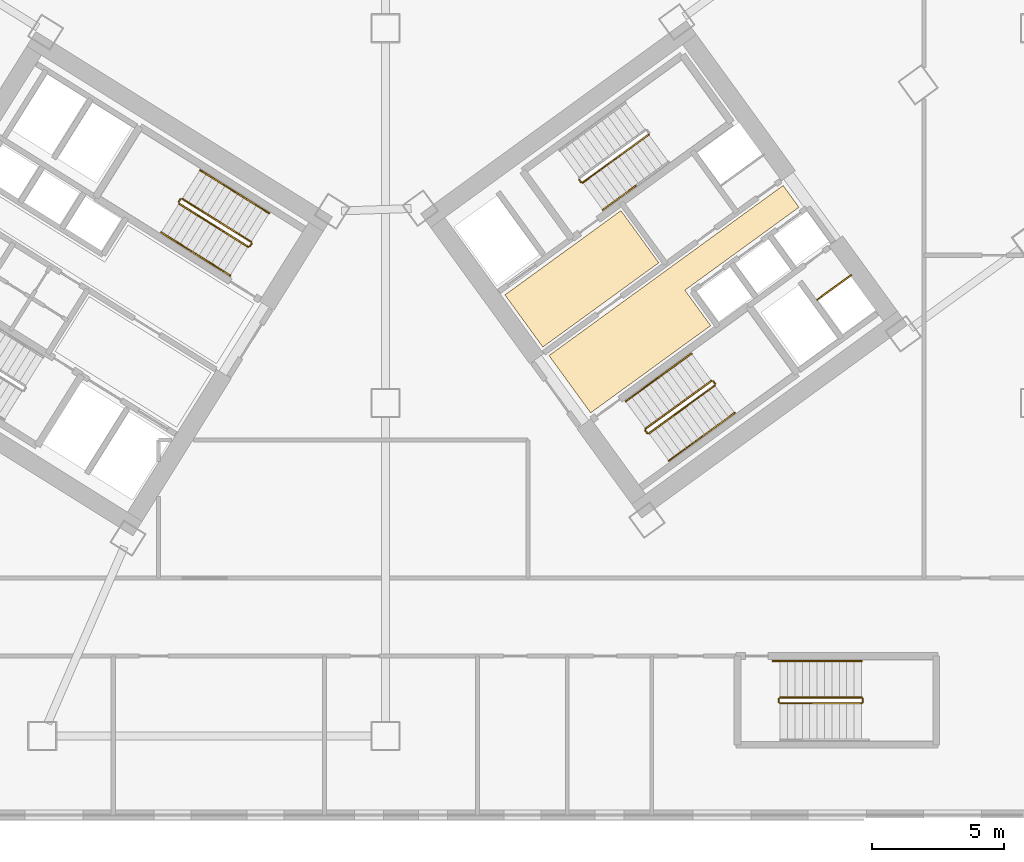
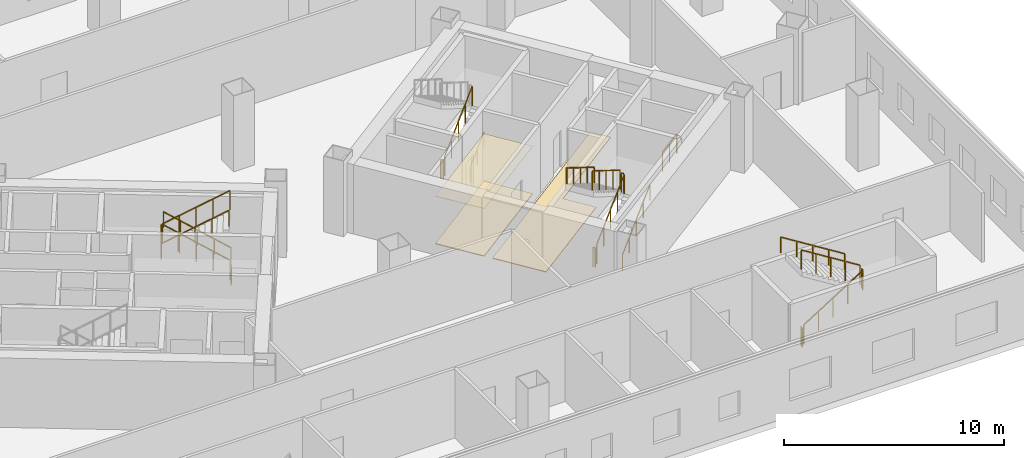
# One storey, part 20 of 22: 25 railings, 3 coverings.
"""IFC4 building model written with IfcOpenShell, lengths in metres."""

from ifc_helpers import new_model, si_unit, direction, frame, origin, origin_2d, place, context, subcontext, project, spatial, polyline, rectangle, outline, extrude, source, transform, mapped, material, layer, layer_set, type_object, element, save


model = new_model("IFC4")

# Units and contexts
model_context = context("Model", 3, precision=1e-05, world=origin(), true_north=direction((0.0, 1.0)))
body_context = subcontext(model_context, "Body", "Model", "MODEL_VIEW")
ifc_project = project(units=[si_unit("LENGTHUNIT", "METRE"), si_unit("AREAUNIT", "SQUARE_METRE"), si_unit("VOLUMEUNIT", "CUBIC_METRE"), si_unit("PLANEANGLEUNIT", "RADIAN"), si_unit("MASSUNIT", "GRAM", prefix="KILO")], contexts=[model_context])

# Site, building, storey
site_placement = place(None, origin())
site = spatial("IfcSite", under=ifc_project, at=site_placement, CompositionType="ELEMENT")
building_placement = place(site_placement, origin())
building = spatial("IfcBuilding", under=site, at=building_placement, Name="Tlacorven Tower", CompositionType="ELEMENT")
storey_placement = place(building_placement, frame((0.0, 0.0, 10.199951171875)))
storey = spatial("IfcBuildingStorey", under=building, at=storey_placement, Name="L02", CompositionType="ELEMENT", Elevation=10.199951171875)

# Coverings
ifc_material_1 = material(Name="Acoustic mineral-fibre ceiling")
ifc_layer_1 = layer(ifc_material_1, 0.02490234375)
ifc_layer_set_1 = layer_set([ifc_layer_1], Name="Acoustic mineral-fibre ceiling")
covering_type_1 = type_object("IfcCoveringType", Name="CV-CLG-ACST", PredefinedType="CEILING", material=ifc_layer_set_1)
covering_1_placement = place(storey_placement, frame((0.0, 0.0, 2.650146484375)))
element("IfcCovering", 1, at=covering_1_placement, inside=storey, type_object=covering_type_1, Name="L02 Acoustic Suspended Ceiling 3", PredefinedType="CEILING", context=body_context, shape_type="SweptSolid", body=[
    extrude(outline(polyline([(48.760498046875, 19.326171875), (47.326171875, 21.300048828125), (51.71923828125, 24.49169921875), (53.1533203125, 22.517822265625), (48.760498046875, 19.326171875)])), origin(), (0.0, 0.0, 1.0), 0.02490234375),
])
ifc_material_2 = material(Name="Terrazzo and ceramic flooring")
ifc_layer_2 = layer(ifc_material_2, 0.0400390625)
ifc_layer_set_2 = layer_set([ifc_layer_2], Name="Terrazzo and ceramic flooring")
covering_type_2 = type_object("IfcCoveringType", Name="CV-FLR-TERZ", PredefinedType="FLOORING", material=ifc_layer_set_2)
covering_2_placement = place(storey_placement, origin())
element("IfcCovering", 2, at=covering_2_placement, inside=storey, type_object=covering_type_2, Name="L02 Terrazzo Floor Finish 3", PredefinedType="FLOORING", context=body_context, shape_type="SweptSolid", body=[
    extrude(outline(polyline([(48.760498046875, 19.326171875), (47.326171875, 21.300048828125), (51.71923828125, 24.49169921875), (53.1533203125, 22.517822265625), (48.760498046875, 19.326171875)])), origin(), (0.0, 0.0, 1.0), 0.0400390625),
])
covering_3_placement = place(storey_placement, origin())
element("IfcCovering", 3, at=covering_3_placement, inside=storey, type_object=covering_type_2, Name="L02 Terrazzo Floor Finish 4", PredefinedType="FLOORING", context=body_context, shape_type="SweptSolid", body=[
    extrude(outline(polyline([(50.57080078125, 16.834228515625), (48.99560546875, 19.00244140625), (57.8623046875, 25.444580078125), (58.4619140625, 24.619384765625), (54.141845703125, 21.480712890625), (55.117431640625, 20.1376953125), (50.57080078125, 16.834228515625)])), origin(), (0.0, 0.0, 1.0), 0.0400390625),
])

# Railings
ifc_material_3 = material(Name="Aluminium and painted steel balustrade", Category="steel")
railing_type_1 = type_object("IfcRailingType", Name="RL-GRD-1100", PredefinedType="GUARDRAIL", material=ifc_material_3)
shared_shape_1 = source(origin(), body_context, "Body", "SweptSolid", [
    extrude(rectangle(XDim=0.048095703125, YDim=0.048095703125, at=origin_2d()), frame((0.0, 0.0, 1.076171875), z_axis=(0.809029975545, 0.58776738483, 0.0), x_axis=(-0.58776738483, 0.809029975545, 0.0)), (0.0, 0.0, 1.0), 1.580078125),
    extrude(rectangle(XDim=0.0419921875, YDim=0.0419921875, at=origin_2d()), origin(), (0.0, 0.0, 1.0), 1.052001953125),
    extrude(rectangle(XDim=0.0419921875, YDim=0.0419921875, at=origin_2d()), frame((0.63916015625, 0.46435546875, 0.0)), (0.0, 0.0, 1.0), 1.052001953125),
    extrude(rectangle(XDim=0.0419921875, YDim=0.0419921875, at=origin_2d()), frame((1.2783203125, 0.9287109375, 0.0)), (0.0, 0.0, 1.0), 1.052001953125),
])
railing_1_placement = place(storey_placement, frame((59.160888671875, 21.122314453125, 0.0)))
element("IfcRailing", 4, at=railing_1_placement, inside=storey, type_object=railing_type_1, Name="L02 Smoke Riser E Shaft Guard 1", PredefinedType="GUARDRAIL", context=body_context, shape_type="MappedRepresentation", body=[
    mapped(shared_shape_1, transform((0.0, 0.0, 0.0), scale=1.0)),
])
shared_shape_2 = source(origin(), body_context, "Body", "SweptSolid", [
    extrude(rectangle(XDim=0.048095703125, YDim=0.048095703125, at=origin_2d()), frame((0.0, 0.0, 1.076171875), z_axis=(-0.529084052582, -0.848569422795, 0.0), x_axis=(0.848569422795, -0.529084052582, 0.0)), (0.0, 0.0, 1.0), 0.119873046875),
    extrude(rectangle(XDim=0.0419921875, YDim=0.0419921875, at=origin_2d()), origin(), (0.0, 0.0, 1.0), 1.052001953125),
    extrude(rectangle(XDim=0.0419921875, YDim=0.0419921875, at=origin_2d()), frame((-0.0634765625, -0.101806640625, 0.0)), (0.0, 0.0, 1.0), 1.052001953125),
])
railing_2_placement = place(storey_placement, frame((35.03125, 24.92578125, 2.10009765625)))
element("IfcRailing", 5, at=railing_2_placement, inside=storey, type_object=railing_type_1, Name="L02 ST-W2 stair guard 2", PredefinedType="GUARDRAIL", context=body_context, shape_type="MappedRepresentation", body=[
    mapped(shared_shape_2, transform((0.0, 0.0, 0.0), scale=1.0)),
])
shared_shape_3 = source(origin(), body_context, "Body", "SweptSolid", [
    extrude(rectangle(XDim=0.048095703125, YDim=0.048095703125, at=origin_2d()), frame((0.0, 0.0, 1.076171875), z_axis=(-0.719121732904, 0.449367057811, 0.530031301547), x_axis=(-0.52992768316, -0.848042835369, 0.0)), (0.0, 0.0, 1.0), 3.6318359375),
    extrude(rectangle(XDim=0.0419921875, YDim=0.0419921875, at=origin_2d()), origin(), (0.0, 0.0, 1.0), 1.052001953125),
    extrude(rectangle(XDim=0.0419921875, YDim=0.0419921875, at=origin_2d()), frame((-0.65283203125, 0.407958984375, 0.481201171875)), (0.0, 0.0, 1.0), 1.052001953125),
    extrude(rectangle(XDim=0.0419921875, YDim=0.0419921875, at=origin_2d()), frame((-1.305908203125, 0.81591796875, 0.96240234375)), (0.0, 0.0, 1.0), 1.052001953125),
    extrude(rectangle(XDim=0.0419921875, YDim=0.0419921875, at=origin_2d()), frame((-1.958984375, 1.22412109375, 1.44384765625)), (0.0, 0.0, 1.0), 1.052001953125),
    extrude(rectangle(XDim=0.0419921875, YDim=0.0419921875, at=origin_2d()), frame((-2.61181640625, 1.632080078125, 1.925048828125)), (0.0, 0.0, 1.0), 1.052001953125),
])
railing_3_placement = place(storey_placement, frame((37.712158203125, 23.3095703125, 0.175048828125)))
element("IfcRailing", 6, at=railing_3_placement, inside=storey, type_object=railing_type_1, Name="L02 ST-W2 stair guard 1", PredefinedType="GUARDRAIL", context=body_context, shape_type="MappedRepresentation", body=[
    mapped(shared_shape_3, transform((0.0, 0.0, 0.0), scale=1.0)),
])
shared_shape_4 = source(origin(), body_context, "Body", "SweptSolid", [
    extrude(rectangle(XDim=0.048095703125, YDim=0.048095703125, at=origin_2d()), frame((0.0, 0.0, 1.076171875), z_axis=(0.719179808639, -0.449361344121, 0.529957342865), x_axis=(0.52989206052, 0.848065094316, 0.0)), (0.0, 0.0, 1.0), 3.632080078125),
    extrude(rectangle(XDim=0.0419921875, YDim=0.0419921875, at=origin_2d()), origin(), (0.0, 0.0, 1.0), 1.052001953125),
    extrude(rectangle(XDim=0.0419921875, YDim=0.0419921875, at=origin_2d()), frame((0.653076171875, -0.407958984375, 0.481201171875)), (0.0, 0.0, 1.0), 1.052001953125),
    extrude(rectangle(XDim=0.0419921875, YDim=0.0419921875, at=origin_2d()), frame((1.30615234375, -0.81591796875, 0.96240234375)), (0.0, 0.0, 1.0), 1.052001953125),
    extrude(rectangle(XDim=0.0419921875, YDim=0.0419921875, at=origin_2d()), frame((1.958984375, -1.22412109375, 1.443603515625)), (0.0, 0.0, 1.0), 1.052001953125),
    extrude(rectangle(XDim=0.0419921875, YDim=0.0419921875, at=origin_2d()), frame((2.612060546875, -1.632080078125, 1.9248046875)), (0.0, 0.0, 1.0), 1.052001953125),
])
railing_4_placement = place(storey_placement, frame((34.983642578125, 24.755126953125, 2.275146484375)))
element("IfcRailing", 7, at=railing_4_placement, inside=storey, type_object=railing_type_1, Name="L02 ST-W2 stair guard 3", PredefinedType="GUARDRAIL", context=body_context, shape_type="MappedRepresentation", body=[
    mapped(shared_shape_4, transform((0.0, 0.0, 0.0), scale=1.0)),
])
railing_type_2 = type_object("IfcRailingType", Name="RL-HND-0900", PredefinedType="HANDRAIL", material=ifc_material_3)
shared_shape_5 = source(origin(), body_context, "Body", "SweptSolid", [
    extrude(rectangle(XDim=0.048095703125, YDim=0.048095703125, at=origin_2d()), frame((0.0, 0.0, 0.8759765625), z_axis=(-0.719190535565, 0.449393263625, 0.529915717981), x_axis=(-0.529913446429, -0.848051731496, 0.0)), (0.0, 0.0, 1.0), 1.816162109375),
    extrude(rectangle(XDim=0.0419921875, YDim=0.0419921875, at=origin_2d()), origin(), (0.0, 0.0, 1.0), 0.851806640625),
    extrude(rectangle(XDim=0.0419921875, YDim=0.0419921875, at=origin_2d()), frame((-0.653076171875, 0.408203125, 0.481201171875)), (0.0, 0.0, 1.0), 0.851806640625),
    extrude(rectangle(XDim=0.0419921875, YDim=0.0419921875, at=origin_2d()), frame((-1.30615234375, 0.816162109375, 0.96240234375)), (0.0, 0.0, 1.0), 0.851806640625),
])
railing_5_placement = place(storey_placement, frame((38.390625, 24.39501953125, 0.175048828125)))
element("IfcRailing", 8, at=railing_5_placement, inside=storey, type_object=railing_type_2, Name="L02 ST-W2 stair handrail 1", PredefinedType="HANDRAIL", context=body_context, shape_type="MappedRepresentation", body=[
    mapped(shared_shape_5, transform((0.0, 0.0, 0.0), scale=1.0)),
])
shared_shape_6 = source(origin(), body_context, "Body", "SweptSolid", [
    extrude(rectangle(XDim=0.048095703125, YDim=0.048095703125, at=origin_2d()), frame((0.0, 0.0, 0.8759765625), z_axis=(0.719125628956, -0.449436712956, 0.529966952579), x_axis=(0.529984689533, 0.848007210383, 0.0)), (0.0, 0.0, 1.0), 1.81591796875),
    extrude(rectangle(XDim=0.0419921875, YDim=0.0419921875, at=origin_2d()), origin(), (0.0, 0.0, 1.0), 0.851806640625),
    extrude(rectangle(XDim=0.0419921875, YDim=0.0419921875, at=origin_2d()), frame((0.65283203125, -0.408203125, 0.481201171875)), (0.0, 0.0, 1.0), 0.851806640625),
    extrude(rectangle(XDim=0.0419921875, YDim=0.0419921875, at=origin_2d()), frame((1.305908203125, -0.816162109375, 0.96240234375)), (0.0, 0.0, 1.0), 0.851806640625),
])
railing_6_placement = place(storey_placement, frame((34.305419921875, 23.669677734375, 2.275146484375)))
element("IfcRailing", 9, at=railing_6_placement, inside=storey, type_object=railing_type_2, Name="L02 ST-W2 stair handrail 3", PredefinedType="HANDRAIL", context=body_context, shape_type="MappedRepresentation", body=[
    mapped(shared_shape_6, transform((0.0, 0.0, 0.0), scale=1.0)),
])
shared_shape_7 = source(origin(), body_context, "Body", "SweptSolid", [
    extrude(rectangle(XDim=0.048095703125, YDim=0.048095703125, at=origin_2d()), frame((0.0, 0.0, 1.076171875), z_axis=(-0.530546985787, -0.847655529016, 0.0), x_axis=(0.847655529016, -0.530546985787, 0.0)), (0.0, 0.0, 1.0), 0.1201171875),
    extrude(rectangle(XDim=0.0419921875, YDim=0.0419921875, at=origin_2d()), origin(), (0.0, 0.0, 1.0), 1.052001953125),
    extrude(rectangle(XDim=0.0419921875, YDim=0.0419921875, at=origin_2d()), frame((-0.063720703125, -0.101806640625, 0.0)), (0.0, 0.0, 1.0), 1.052001953125),
])
railing_7_placement = place(storey_placement, frame((37.728271484375, 23.24072265625, 0.0)))
element("IfcRailing", 10, at=railing_7_placement, inside=storey, type_object=railing_type_1, Name="L02 ST-W2 stair guard 4", PredefinedType="GUARDRAIL", context=body_context, shape_type="MappedRepresentation", body=[
    mapped(shared_shape_7, transform((0.0, 0.0, 0.0), scale=1.0)),
])
shared_shape_8 = source(origin(), body_context, "Body", "SweptSolid", [
    extrude(rectangle(XDim=0.048095703125, YDim=0.048095703125, at=origin_2d()), frame((0.0, 0.0, 0.8759765625), z_axis=(-0.719117830416, 0.449297399374, 0.530095645042), x_axis=(-0.529870669602, -0.848078459516, 0.0)), (0.0, 0.0, 1.0), 1.81591796875),
    extrude(rectangle(XDim=0.0419921875, YDim=0.0419921875, at=origin_2d()), origin(), (0.0, 0.0, 1.0), 0.851806640625),
    extrude(rectangle(XDim=0.0419921875, YDim=0.0419921875, at=origin_2d()), frame((-0.65283203125, 0.407958984375, 0.4814453125)), (0.0, 0.0, 1.0), 0.851806640625),
    extrude(rectangle(XDim=0.0419921875, YDim=0.0419921875, at=origin_2d()), frame((-1.305908203125, 0.81591796875, 0.962646484375)), (0.0, 0.0, 1.0), 0.851806640625),
])
railing_8_placement = place(storey_placement, frame((37.08447265625, 25.211181640625, 1.137451171875)))
element("IfcRailing", 11, at=railing_8_placement, inside=storey, type_object=railing_type_2, Name="L02 ST-W2 stair handrail 2", PredefinedType="HANDRAIL", context=body_context, shape_type="MappedRepresentation", body=[
    mapped(shared_shape_8, transform((0.0, 0.0, 0.0), scale=1.0)),
])
shared_shape_9 = source(origin(), body_context, "Body", "SweptSolid", [
    extrude(rectangle(XDim=0.048095703125, YDim=0.048095703125, at=origin_2d()), frame((0.0, 0.0, 0.8759765625), z_axis=(0.719190535565, -0.449393263625, 0.529915717981), x_axis=(0.529913446429, 0.848051731496, 0.0)), (0.0, 0.0, 1.0), 1.816162109375),
    extrude(rectangle(XDim=0.0419921875, YDim=0.0419921875, at=origin_2d()), origin(), (0.0, 0.0, 1.0), 0.851806640625),
    extrude(rectangle(XDim=0.0419921875, YDim=0.0419921875, at=origin_2d()), frame((0.653076171875, -0.408203125, 0.481201171875)), (0.0, 0.0, 1.0), 0.851806640625),
    extrude(rectangle(XDim=0.0419921875, YDim=0.0419921875, at=origin_2d()), frame((1.30615234375, -0.816162109375, 0.96240234375)), (0.0, 0.0, 1.0), 0.851806640625),
])
railing_9_placement = place(storey_placement, frame((35.611328125, 22.853515625, 3.237548828125)))
element("IfcRailing", 12, at=railing_9_placement, inside=storey, type_object=railing_type_2, Name="L02 ST-W2 stair handrail 4", PredefinedType="HANDRAIL", context=body_context, shape_type="MappedRepresentation", body=[
    mapped(shared_shape_9, transform((0.0, 0.0, 0.0), scale=1.0)),
])
shared_shape_10 = source(origin(), body_context, "Body", "SweptSolid", [
    extrude(rectangle(XDim=0.048095703125, YDim=0.048095703125, at=origin_2d()), frame((0.0, 0.0, 1.076171875), z_axis=(-0.587567097037, 0.809175448515, 0.0), x_axis=(-0.809175448515, -0.587567097037, 0.0)), (0.0, 0.0, 1.0), 0.1201171875),
    extrude(rectangle(XDim=0.0419921875, YDim=0.0419921875, at=origin_2d()), origin(), (0.0, 0.0, 1.0), 1.052001953125),
    extrude(rectangle(XDim=0.0419921875, YDim=0.0419921875, at=origin_2d()), frame((-0.070556640625, 0.09716796875, 0.0)), (0.0, 0.0, 1.0), 1.052001953125),
])
for number, where, name in (
    (13, (55.2841796875, 17.934814453125, 2.10009765625), "L02 ST-E2 stair guard 2"),
    (14, (52.71142578125, 16.065673828125, 0.0), "L02 ST-E2 stair guard 4"),
):
    element("IfcRailing", number, at=place(storey_placement, frame(where)), inside=storey, type_object=railing_type_1, Name=name, PredefinedType="GUARDRAIL", context=body_context, shape_type="MappedRepresentation", body=[
        mapped(shared_shape_10, transform((0.0, 0.0, 0.0), scale=1.0)),
    ])
shared_shape_11 = source(origin(), body_context, "Body", "SweptSolid", [
    extrude(rectangle(XDim=0.048095703125, YDim=0.048095703125, at=origin_2d()), frame((0.0, 0.0, 1.076171875), z_axis=(-0.587201422542, 0.809440849824, 0.0), x_axis=(-0.809440849824, -0.587201422542, 0.0)), (0.0, 0.0, 1.0), 0.11962890625),
    extrude(rectangle(XDim=0.0419921875, YDim=0.0419921875, at=origin_2d()), origin(), (0.0, 0.0, 1.0), 1.052001953125),
    extrude(rectangle(XDim=0.0419921875, YDim=0.0419921875, at=origin_2d()), frame((-0.0703125, 0.096923828125, 0.0)), (0.0, 0.0, 1.0), 1.052001953125),
])
railing_10_placement = place(storey_placement, frame((50.207275390625, 25.56884765625, 0.0)))
element("IfcRailing", 15, at=railing_10_placement, inside=storey, type_object=railing_type_1, Name="L02 ST-E1 stair guard 4", PredefinedType="GUARDRAIL", context=body_context, shape_type="MappedRepresentation", body=[
    mapped(shared_shape_11, transform((0.0, 0.0, 0.0), scale=1.0)),
])
shared_shape_12 = source(origin(), body_context, "Body", "SweptSolid", [
    extrude(rectangle(XDim=0.048095703125, YDim=0.048095703125, at=origin_2d()), frame((0.0, 0.0, 1.076171875), z_axis=(0.686036633924, 0.498428536209, 0.530021444101), x_axis=(-0.58778042511, 0.809020501506, 0.0)), (0.0, 0.0, 1.0), 3.632080078125),
    extrude(rectangle(XDim=0.0419921875, YDim=0.0419921875, at=origin_2d()), origin(), (0.0, 0.0, 1.0), 1.052001953125),
    extrude(rectangle(XDim=0.0419921875, YDim=0.0419921875, at=origin_2d()), frame((0.623046875, 0.45263671875, 0.481201171875)), (0.0, 0.0, 1.0), 1.052001953125),
    extrude(rectangle(XDim=0.0419921875, YDim=0.0419921875, at=origin_2d()), frame((1.245849609375, 0.9052734375, 0.96240234375)), (0.0, 0.0, 1.0), 1.052001953125),
    extrude(rectangle(XDim=0.0419921875, YDim=0.0419921875, at=origin_2d()), frame((1.86865234375, 1.357666015625, 1.44384765625)), (0.0, 0.0, 1.0), 1.052001953125),
    extrude(rectangle(XDim=0.0419921875, YDim=0.0419921875, at=origin_2d()), frame((2.49169921875, 1.810302734375, 1.925048828125)), (0.0, 0.0, 1.0), 1.052001953125),
])
for number, where, name in (
    (16, (50.27734375, 25.557861328125, 0.175048828125), "L02 ST-E1 stair guard 1"),
    (17, (52.78125, 16.0546875, 0.175048828125), "L02 ST-E2 stair guard 1"),
):
    element("IfcRailing", number, at=place(storey_placement, frame(where)), inside=storey, type_object=railing_type_1, Name=name, PredefinedType="GUARDRAIL", context=body_context, shape_type="MappedRepresentation", body=[
        mapped(shared_shape_12, transform((0.0, 0.0, 0.0), scale=1.0)),
    ])
shared_shape_13 = source(origin(), body_context, "Body", "SweptSolid", [
    extrude(rectangle(XDim=0.048095703125, YDim=0.048095703125, at=origin_2d()), frame((0.0, 0.0, 0.8759765625), z_axis=(0.686038087725, 0.498496811539, 0.52995534819), x_axis=(-0.587832304237, 0.808982807045, 0.0)), (0.0, 0.0, 1.0), 1.81591796875),
    extrude(rectangle(XDim=0.0419921875, YDim=0.0419921875, at=origin_2d()), origin(), (0.0, 0.0, 1.0), 0.851806640625),
    extrude(rectangle(XDim=0.0419921875, YDim=0.0419921875, at=origin_2d()), frame((0.623046875, 0.45263671875, 0.481201171875)), (0.0, 0.0, 1.0), 0.851806640625),
    extrude(rectangle(XDim=0.0419921875, YDim=0.0419921875, at=origin_2d()), frame((1.245849609375, 0.9052734375, 0.96240234375)), (0.0, 0.0, 1.0), 0.851806640625),
])
for number, where, name in (
    (18, (51.029541015625, 24.522216796875, 0.175048828125), "L02 ST-E1 stair handrail 1"),
    (19, (53.53369140625, 15.01904296875, 0.175048828125), "L02 ST-E2 stair handrail 1"),
):
    element("IfcRailing", number, at=place(storey_placement, frame(where)), inside=storey, type_object=railing_type_2, Name=name, PredefinedType="HANDRAIL", context=body_context, shape_type="MappedRepresentation", body=[
        mapped(shared_shape_13, transform((0.0, 0.0, 0.0), scale=1.0)),
    ])
shared_shape_14 = source(origin(), body_context, "Body", "SweptSolid", [
    extrude(rectangle(XDim=0.048095703125, YDim=0.048095703125, at=origin_2d()), frame((0.0, 0.0, 0.8759765625), z_axis=(-0.686038087725, -0.498496811539, 0.52995534819), x_axis=(0.587832304237, -0.808982807045, 0.0)), (0.0, 0.0, 1.0), 1.81591796875),
    extrude(rectangle(XDim=0.0419921875, YDim=0.0419921875, at=origin_2d()), origin(), (0.0, 0.0, 1.0), 0.851806640625),
    extrude(rectangle(XDim=0.0419921875, YDim=0.0419921875, at=origin_2d()), frame((-0.623046875, -0.45263671875, 0.481201171875)), (0.0, 0.0, 1.0), 0.851806640625),
    extrude(rectangle(XDim=0.0419921875, YDim=0.0419921875, at=origin_2d()), frame((-1.245849609375, -0.9052734375, 0.96240234375)), (0.0, 0.0, 1.0), 0.851806640625),
])
for number, where, name in (
    (20, (54.391357421875, 19.07861328125, 2.275146484375), "L02 ST-E2 stair handrail 3"),
    (21, (53.1455078125, 18.17333984375, 3.237548828125), "L02 ST-E2 stair handrail 4"),
):
    element("IfcRailing", number, at=place(storey_placement, frame(where)), inside=storey, type_object=railing_type_2, Name=name, PredefinedType="HANDRAIL", context=body_context, shape_type="MappedRepresentation", body=[
        mapped(shared_shape_14, transform((0.0, 0.0, 0.0), scale=1.0)),
    ])
shared_shape_15 = source(origin(), body_context, "Body", "SweptSolid", [
    extrude(rectangle(XDim=0.048095703125, YDim=0.048095703125, at=origin_2d()), frame((0.0, 0.0, 0.8759765625), z_axis=(0.685989209117, 0.498461294808, 0.530052018724), x_axis=(-0.587832304237, 0.808982807045, 0.0)), (0.0, 0.0, 1.0), 1.816162109375),
    extrude(rectangle(XDim=0.0419921875, YDim=0.0419921875, at=origin_2d()), origin(), (0.0, 0.0, 1.0), 0.851806640625),
    extrude(rectangle(XDim=0.0419921875, YDim=0.0419921875, at=origin_2d()), frame((0.623046875, 0.45263671875, 0.4814453125)), (0.0, 0.0, 1.0), 0.851806640625),
    extrude(rectangle(XDim=0.0419921875, YDim=0.0419921875, at=origin_2d()), frame((1.245849609375, 0.9052734375, 0.962646484375)), (0.0, 0.0, 1.0), 0.851806640625),
])
railing_11_placement = place(storey_placement, frame((54.779541015625, 15.92431640625, 1.137451171875)))
element("IfcRailing", 22, at=railing_11_placement, inside=storey, type_object=railing_type_2, Name="L02 ST-E2 stair handrail 2", PredefinedType="HANDRAIL", context=body_context, shape_type="MappedRepresentation", body=[
    mapped(shared_shape_15, transform((0.0, 0.0, 0.0), scale=1.0)),
])
shared_shape_16 = source(origin(), body_context, "Body", "SweptSolid", [
    extrude(rectangle(XDim=0.048095703125, YDim=0.048095703125, at=origin_2d()), frame((0.0, 0.0, 1.076171875), z_axis=(-0.686096654597, -0.49842330693, 0.529948665117), x_axis=(0.587742732335, -0.809047885225, 0.0)), (0.0, 0.0, 1.0), 3.632080078125),
    extrude(rectangle(XDim=0.0419921875, YDim=0.0419921875, at=origin_2d()), origin(), (0.0, 0.0, 1.0), 1.052001953125),
    extrude(rectangle(XDim=0.0419921875, YDim=0.0419921875, at=origin_2d()), frame((-0.623046875, -0.45263671875, 0.481201171875)), (0.0, 0.0, 1.0), 1.052001953125),
    extrude(rectangle(XDim=0.0419921875, YDim=0.0419921875, at=origin_2d()), frame((-1.24609375, -0.9052734375, 0.96240234375)), (0.0, 0.0, 1.0), 1.052001953125),
    extrude(rectangle(XDim=0.0419921875, YDim=0.0419921875, at=origin_2d()), frame((-1.868896484375, -1.357666015625, 1.443603515625)), (0.0, 0.0, 1.0), 1.052001953125),
    extrude(rectangle(XDim=0.0419921875, YDim=0.0419921875, at=origin_2d()), frame((-2.491943359375, -1.810302734375, 1.9248046875)), (0.0, 0.0, 1.0), 1.052001953125),
])
railing_12_placement = place(storey_placement, frame((55.143798828125, 18.04296875, 2.275146484375)))
element("IfcRailing", 23, at=railing_12_placement, inside=storey, type_object=railing_type_1, Name="L02 ST-E2 stair guard 3", PredefinedType="GUARDRAIL", context=body_context, shape_type="MappedRepresentation", body=[
    mapped(shared_shape_16, transform((0.0, 0.0, 0.0), scale=1.0)),
])
shared_shape_17 = source(origin(), body_context, "Body", "SweptSolid", [
    extrude(rectangle(XDim=0.048095703125, YDim=0.048095703125, at=origin_2d()), frame((0.0, 0.0, 1.076171875), z_axis=(0.0, 1.0, 0.0), x_axis=(-1.0, 0.0, 0.0)), (0.0, 0.0, 1.0), 0.1201171875),
    extrude(rectangle(XDim=0.0419921875, YDim=0.0419921875, at=origin_2d()), origin(), (0.0, 0.0, 1.0), 1.052001953125),
    extrude(rectangle(XDim=0.0419921875, YDim=0.0419921875, at=origin_2d()), frame((0.0, 0.1201171875, 0.0)), (0.0, 0.0, 1.0), 1.052001953125),
])
for number, where, name in (
    (24, (60.8798828125, 5.8798828125, 2.10009765625), "L02 ST-P2 stair guard 2"),
    (25, (57.699951171875, 5.8798828125, 0.0), "L02 ST-P2 stair guard 4"),
):
    element("IfcRailing", number, at=place(storey_placement, frame(where)), inside=storey, type_object=railing_type_1, Name=name, PredefinedType="GUARDRAIL", context=body_context, shape_type="MappedRepresentation", body=[
        mapped(shared_shape_17, transform((0.0, 0.0, 0.0), scale=1.0)),
    ])
shared_shape_18 = source(origin(), body_context, "Body", "SweptSolid", [
    extrude(rectangle(XDim=0.048095703125, YDim=0.048095703125, at=origin_2d()), frame((0.0, 0.0, 1.076171875), z_axis=(0.847998304005, 0.0, 0.529998940003), x_axis=(0.0, 1.0, 0.0)), (0.0, 0.0, 1.0), 3.632080078125),
    extrude(rectangle(XDim=0.0419921875, YDim=0.0419921875, at=origin_2d()), origin(), (0.0, 0.0, 1.0), 1.052001953125),
    extrude(rectangle(XDim=0.0419921875, YDim=0.0419921875, at=origin_2d()), frame((0.77001953125, 0.0, 0.481201171875)), (0.0, 0.0, 1.0), 1.052001953125),
    extrude(rectangle(XDim=0.0419921875, YDim=0.0419921875, at=origin_2d()), frame((1.5400390625, 0.0, 0.96240234375)), (0.0, 0.0, 1.0), 1.052001953125),
    extrude(rectangle(XDim=0.0419921875, YDim=0.0419921875, at=origin_2d()), frame((2.31005859375, 0.0, 1.44384765625)), (0.0, 0.0, 1.0), 1.052001953125),
    extrude(rectangle(XDim=0.0419921875, YDim=0.0419921875, at=origin_2d()), frame((3.080078125, 0.0, 1.925048828125)), (0.0, 0.0, 1.0), 1.052001953125),
])
railing_13_placement = place(storey_placement, frame((57.75, 5.830078125, 0.175048828125)))
element("IfcRailing", 26, at=railing_13_placement, inside=storey, type_object=railing_type_1, Name="L02 ST-P2 stair guard 1", PredefinedType="GUARDRAIL", context=body_context, shape_type="MappedRepresentation", body=[
    mapped(shared_shape_18, transform((0.0, 0.0, 0.0), scale=1.0)),
])
shared_shape_19 = source(origin(), body_context, "Body", "SweptSolid", [
    extrude(rectangle(XDim=0.048095703125, YDim=0.048095703125, at=origin_2d()), frame((0.0, 0.0, 1.076171875), z_axis=(-0.848028513186, 0.0, 0.529950602248), x_axis=(0.0, -1.0, 0.0)), (0.0, 0.0, 1.0), 3.632080078125),
    extrude(rectangle(XDim=0.0419921875, YDim=0.0419921875, at=origin_2d()), origin(), (0.0, 0.0, 1.0), 1.052001953125),
    extrude(rectangle(XDim=0.0419921875, YDim=0.0419921875, at=origin_2d()), frame((-0.77001953125, 0.0, 0.481201171875)), (0.0, 0.0, 1.0), 1.052001953125),
    extrude(rectangle(XDim=0.0419921875, YDim=0.0419921875, at=origin_2d()), frame((-1.5400390625, 0.0, 0.96240234375)), (0.0, 0.0, 1.0), 1.052001953125),
    extrude(rectangle(XDim=0.0419921875, YDim=0.0419921875, at=origin_2d()), frame((-2.31005859375, 0.0, 1.443603515625)), (0.0, 0.0, 1.0), 1.052001953125),
    extrude(rectangle(XDim=0.0419921875, YDim=0.0419921875, at=origin_2d()), frame((-3.080078125, 0.0, 1.9248046875)), (0.0, 0.0, 1.0), 1.052001953125),
])
railing_14_placement = place(storey_placement, frame((60.830078125, 6.050048828125, 2.275146484375)))
element("IfcRailing", 27, at=railing_14_placement, inside=storey, type_object=railing_type_1, Name="L02 ST-P2 stair guard 3", PredefinedType="GUARDRAIL", context=body_context, shape_type="MappedRepresentation", body=[
    mapped(shared_shape_19, transform((0.0, 0.0, 0.0), scale=1.0)),
])
shared_shape_20 = source(origin(), body_context, "Body", "SweptSolid", [
    extrude(rectangle(XDim=0.048095703125, YDim=0.048095703125, at=origin_2d()), frame((0.0, 0.0, 0.8759765625), z_axis=(-0.848022534174, 0.0, 0.529960169762), x_axis=(0.0, -1.0, 0.0)), (0.0, 0.0, 1.0), 3.96240234375),
    extrude(rectangle(XDim=0.0419921875, YDim=0.0419921875, at=origin_2d()), origin(), (0.0, 0.0, 1.0), 0.851806640625),
    extrude(rectangle(XDim=0.0419921875, YDim=0.0419921875, at=origin_2d()), frame((-0.840087890625, 0.0, 0.52490234375)), (0.0, 0.0, 1.0), 0.851806640625),
    extrude(rectangle(XDim=0.0419921875, YDim=0.0419921875, at=origin_2d()), frame((-1.68017578125, 0.0, 1.0498046875)), (0.0, 0.0, 1.0), 0.851806640625),
    extrude(rectangle(XDim=0.0419921875, YDim=0.0419921875, at=origin_2d()), frame((-2.52001953125, 0.0, 1.574951171875)), (0.0, 0.0, 1.0), 0.851806640625),
    extrude(rectangle(XDim=0.0419921875, YDim=0.0419921875, at=origin_2d()), frame((-3.360107421875, 0.0, 2.099853515625)), (0.0, 0.0, 1.0), 0.851806640625),
])
railing_15_placement = place(storey_placement, frame((60.830078125, 7.429931640625, 2.275146484375)))
element("IfcRailing", 28, at=railing_15_placement, inside=storey, type_object=railing_type_2, Name="L02 ST-P2 stair handrail 2", PredefinedType="HANDRAIL", context=body_context, shape_type="MappedRepresentation", body=[
    mapped(shared_shape_20, transform((0.0, 0.0, 0.0), scale=1.0)),
])

save(model, "model.ifc")
